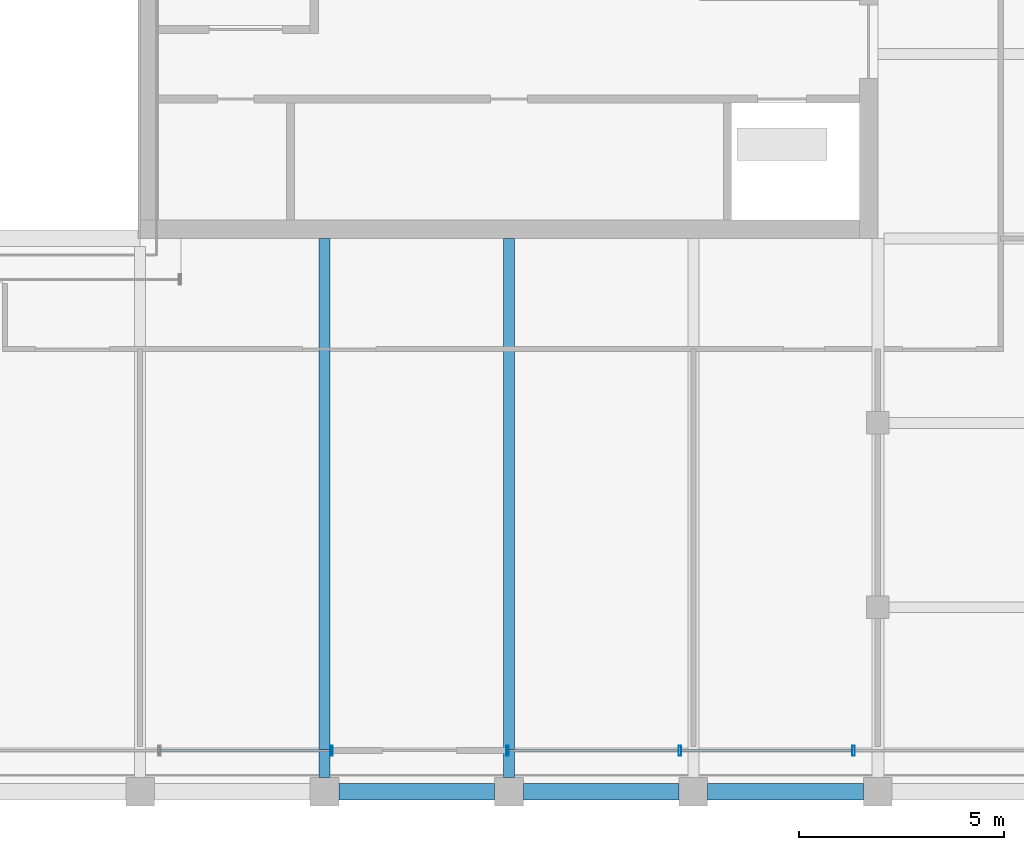
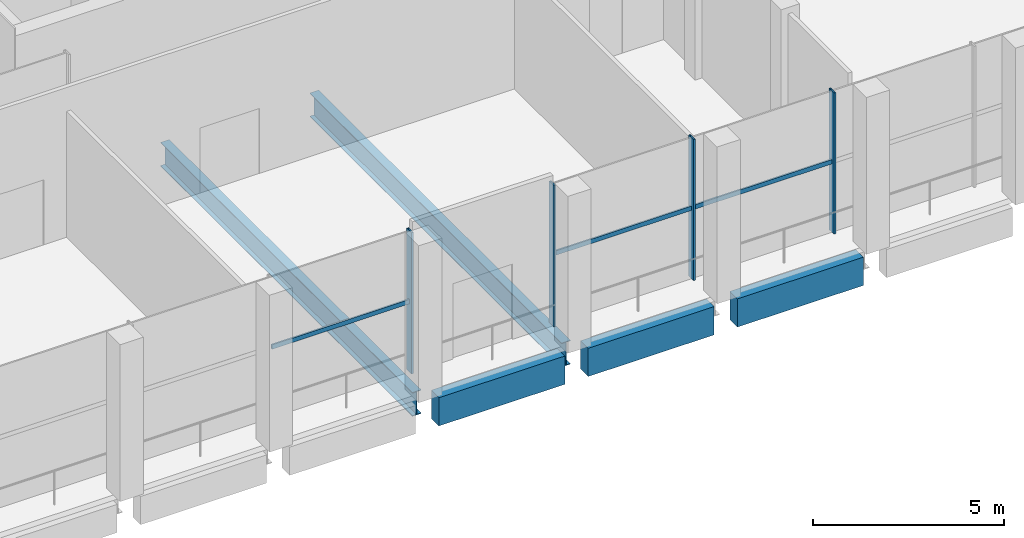
# One storey, part 5 of 14: 7 members, 5 beams, 2 elements without a shape of their own.
"""IFC4 building model written with IfcOpenShell, lengths in metres."""

from ifc_helpers import new_model, si_unit, direction, frame, origin, origin_2d, place, context, subcontext, project, spatial, rectangle, hollow_rectangle, i_section, extrude, material, material_profile, profile_set, type_object, element, aggregate, save


model = new_model("IFC4")

# Units and contexts
model_context = context("Model", 3, precision=1e-05, world=origin(), true_north=direction((0.0, 1.0)))
body_context = subcontext(model_context, "Body", "Model", "MODEL_VIEW")
ifc_project = project(units=[si_unit("LENGTHUNIT", "METRE"), si_unit("AREAUNIT", "SQUARE_METRE"), si_unit("VOLUMEUNIT", "CUBIC_METRE"), si_unit("PLANEANGLEUNIT", "RADIAN"), si_unit("MASSUNIT", "GRAM", prefix="KILO")], contexts=[model_context])

# Site, building, storey
site_placement = place(None, origin())
site = spatial("IfcSite", under=ifc_project, at=site_placement, CompositionType="ELEMENT")
building_placement = place(site_placement, origin())
building = spatial("IfcBuilding", under=site, at=building_placement, Name="Altepetl Exchange Towers", CompositionType="ELEMENT")
storey_placement = place(building_placement, frame((0.0, 0.0, 269.60009765625)))
storey = spatial("IfcBuildingStorey", under=building, at=storey_placement, Name="L68 Observation gallery", CompositionType="ELEMENT", Elevation=269.60009765625)

# Beams
ifc_material_1 = material(Name="Steel S355", Category="steel")
ifc_material_profile_1 = material_profile(ifc_material_1, i_section(OverallWidth=0.26611328125, OverallDepth=0.758056640625, WebThickness=0.013916015625, FlangeThickness=0.019287109375, at=origin_2d()), Name="W30X108")
ifc_profile_set_1 = profile_set([ifc_material_profile_1], Name="Steel S355")
beam_type_1 = type_object("IfcBeamType", Name="Floor beam W30X108", PredefinedType="BEAM", material=ifc_profile_set_1)
for number, where, z_axis, x_axis, name in (
    (1, (45.0, 27.35009765625, -0.55419921875), (0.0, 1.0, 0.0), (-1.0, 0.0, 0.0), "bm:A:L68:009"),
    (2, (49.5, 27.35009765625, -0.55419921875), (0.0, 1.0, 0.0), (-1.0, 0.0, 0.0), "bm:A:L68:010"),
):
    element("IfcBeam", number, at=place(storey_placement, frame(where, z_axis=z_axis, x_axis=x_axis)), inside=storey, type_object=beam_type_1, Name=name, PredefinedType="BEAM", context=body_context, shape_type="SweptSolid", body=[
        extrude(i_section(OverallWidth=0.26611328125, OverallDepth=0.758056640625, WebThickness=0.013916015625, FlangeThickness=0.019287109375, at=origin_2d()), origin(), (0.0, 0.0, 1.0), 13.14990234375),
    ])

# Curtain wall, member
ifc_material_2 = material(Name="Aluminium 6063-T6 glazing", Category="aluminium")
curtain_wall_type = type_object("IfcCurtainWallType", Name="Executive flush glazing system", PredefinedType="NOTDEFINED", material=ifc_material_2)
curtain_wall_1_placement = place(storey_placement, origin())
curtain_wall_1 = element("IfcCurtainWall", 3, at=curtain_wall_1_placement, inside=storey, type_object=curtain_wall_type, Name="CW4 run", PredefinedType="NOTDEFINED")
ifc_material_3 = material(Name="Aluminium 6063-T6", Category="aluminium")
ifc_material_profile_2 = material_profile(ifc_material_3, hollow_rectangle(XDim=0.06005859375, YDim=0.25, WallThickness=0.0029296875, at=origin_2d()), Name="Mullion 60x250 hollow aluminium")
ifc_profile_set_2 = profile_set([ifc_material_profile_2], Name="Aluminium 6063-T6")
member_type_1 = type_object("IfcMemberType", Name="Mullion 60x250 hollow aluminium", PredefinedType="MULLION", material=ifc_profile_set_2)
member_1_placement = place(storey_placement, frame((45.173095703125, 28.0, 0.0)))
member_1 = element("IfcMember", 4, at=member_1_placement, type_object=member_type_1, Name="MU3 mullion", PredefinedType="MULLION", context=body_context, shape_type="SweptSolid", body=[
    extrude(hollow_rectangle(XDim=0.06005859375, YDim=0.25, WallThickness=0.0029296875, at=origin_2d()), origin(), (0.0, 0.0, 1.0), 4.5),
])

# Curtain wall, members
curtain_wall_2_placement = place(storey_placement, origin())
curtain_wall_2 = element("IfcCurtainWall", 5, at=curtain_wall_2_placement, inside=storey, type_object=curtain_wall_type, Name="CW4 run", PredefinedType="NOTDEFINED")
member_2_placement = place(storey_placement, frame((49.467529296875, 28.0, 0.0)))
member_2 = element("IfcMember", 6, at=member_2_placement, type_object=member_type_1, Name="MU3 mullion", PredefinedType="MULLION", context=body_context, shape_type="SweptSolid", body=[
    extrude(hollow_rectangle(XDim=0.06005859375, YDim=0.25, WallThickness=0.0029296875, at=origin_2d()), origin(), (0.0, 0.0, 1.0), 4.5),
])
member_3_placement = place(storey_placement, frame((53.671875, 28.0, 0.0)))
member_3 = element("IfcMember", 7, at=member_3_placement, type_object=member_type_1, Name="MU3 mullion", PredefinedType="MULLION", context=body_context, shape_type="SweptSolid", body=[
    extrude(hollow_rectangle(XDim=0.06005859375, YDim=0.25, WallThickness=0.0029296875, at=origin_2d()), origin(), (0.0, 0.0, 1.0), 4.5),
])
member_4_placement = place(storey_placement, frame((57.90625, 28.0, 0.0)))
member_4 = element("IfcMember", 8, at=member_4_placement, type_object=member_type_1, Name="MU3 mullion", PredefinedType="MULLION", context=body_context, shape_type="SweptSolid", body=[
    extrude(hollow_rectangle(XDim=0.06005859375, YDim=0.25, WallThickness=0.0029296875, at=origin_2d()), origin(), (0.0, 0.0, 1.0), 4.5),
])

# Beams
ifc_material_4 = material(Name="Concrete C50/60 precast with cantera blanca facing", Category="concrete")
ifc_material_profile_3 = material_profile(ifc_material_4, rectangle(XDim=0.39990234375, YDim=0.89990234375, at=origin_2d()), Name="400 x 900")
ifc_profile_set_3 = profile_set([ifc_material_profile_3], Name="Concrete C50/60 precast with cantera blanca facing")
beam_type_2 = type_object("IfcBeamType", Name="Spandrel beam 400x900 cantera blanca", PredefinedType="SPANDREL", material=ifc_profile_set_3)
for number, where, z_axis, x_axis, name in (
    (9, (45.35009765625, 27.0, -0.625), (1.0, 0.0, 0.0), (0.0, 1.0, 0.0), "sp:A:L68:003"),
    (10, (49.85009765625, 27.0, -0.625), (1.0, 0.0, 0.0), (0.0, 1.0, 0.0), "sp:A:L68:004"),
    (11, (54.35009765625, 27.0, -0.625), (1.0, 0.0, 0.0), (0.0, 1.0, 0.0), "sp:A:L68:005"),
):
    element("IfcBeam", number, at=place(storey_placement, frame(where, z_axis=z_axis, x_axis=x_axis)), inside=storey, type_object=beam_type_2, Name=name, PredefinedType="SPANDREL", context=body_context, shape_type="SweptSolid", body=[
        extrude(rectangle(XDim=0.39990234375, YDim=0.89990234375, at=origin_2d()), origin(), (0.0, 0.0, 1.0), 3.7998046875),
    ])

# Member
ifc_material_profile_4 = material_profile(ifc_material_3, hollow_rectangle(XDim=0.050048828125, YDim=0.139892578125, WallThickness=0.0029296875, at=origin_2d()), Name="Transom 50x140 hollow aluminium")
ifc_profile_set_4 = profile_set([ifc_material_profile_4], Name="Aluminium 6063-T6")
member_type_2 = type_object("IfcMemberType", Name="Transom 50x140 hollow aluminium", PredefinedType="USERDEFINED", material=ifc_profile_set_4)
member_5_placement = place(storey_placement, frame((40.998779296875, 28.0, 2.25), z_axis=(1.0, 0.0, 0.0), x_axis=(0.0, 1.0, 0.0)))
member_5 = element("IfcMember", 12, at=member_5_placement, type_object=member_type_2, Name="TR2 transom", ObjectType="TRANSOM", PredefinedType="USERDEFINED", context=body_context, shape_type="SweptSolid", body=[
    extrude(hollow_rectangle(XDim=0.050048828125, YDim=0.139892578125, WallThickness=0.0029296875, at=origin_2d()), origin(), (0.0, 0.0, 1.0), 4.144287109375),
])

aggregate(curtain_wall_1, [member_1, member_5])

member_6_placement = place(storey_placement, frame((49.49755859375, 28.0, 2.25), z_axis=(1.0, 0.0, 0.0), x_axis=(0.0, 1.0, 0.0)))
member_6 = element("IfcMember", 13, at=member_6_placement, type_object=member_type_2, Name="TR2 transom", ObjectType="TRANSOM", PredefinedType="USERDEFINED", context=body_context, shape_type="SweptSolid", body=[
    extrude(hollow_rectangle(XDim=0.050048828125, YDim=0.139892578125, WallThickness=0.0029296875, at=origin_2d()), origin(), (0.0, 0.0, 1.0), 4.144287109375),
])

member_7_placement = place(storey_placement, frame((53.701904296875, 28.0, 2.25), z_axis=(1.0, 0.0, 0.0), x_axis=(0.0, 1.0, 0.0)))
member_7 = element("IfcMember", 14, at=member_7_placement, type_object=member_type_2, Name="TR2 transom", ObjectType="TRANSOM", PredefinedType="USERDEFINED", context=body_context, shape_type="SweptSolid", body=[
    extrude(hollow_rectangle(XDim=0.050048828125, YDim=0.139892578125, WallThickness=0.0029296875, at=origin_2d()), origin(), (0.0, 0.0, 1.0), 4.17431640625),
])

aggregate(curtain_wall_2, [member_2, member_3, member_4, member_6, member_7])

save(model, "model.ifc")
